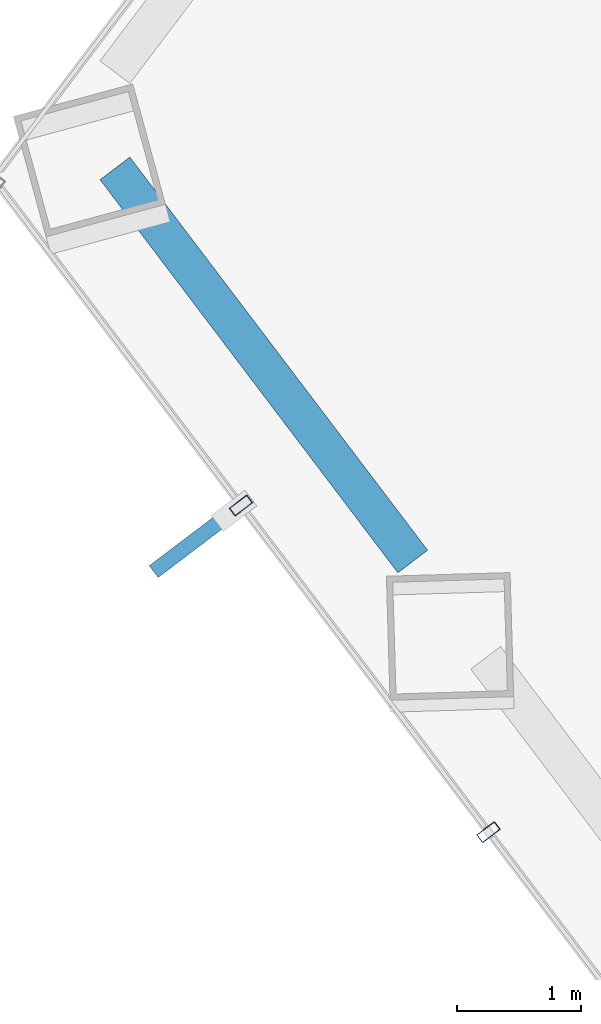
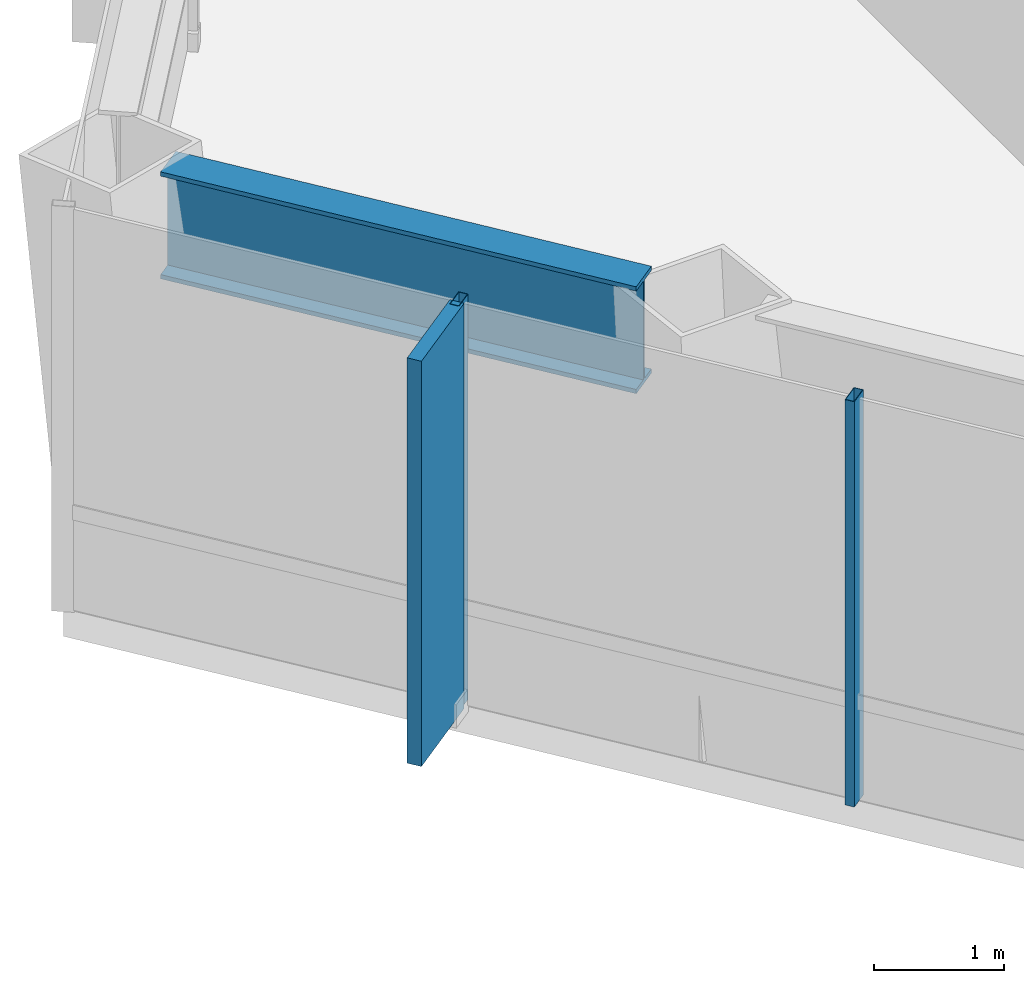
# One storey, part 4 of 26: 3 members, 1 beam, 1 element without a shape of its own.
"""IFC4 building model written with IfcOpenShell, lengths in metres."""

from ifc_helpers import new_model, si_unit, direction, frame, origin, origin_2d, place, context, subcontext, project, spatial, rectangle, hollow_rectangle, i_section, extrude, material, layer, layer_set, material_profile, profile_set, type_object, element, aggregate, save


model = new_model("IFC4")

# Units and contexts
model_context = context("Model", 3, precision=1e-05, world=origin(), true_north=direction((0.0, 1.0)))
body_context = subcontext(model_context, "Body", "Model", "MODEL_VIEW")
ifc_project = project(units=[si_unit("LENGTHUNIT", "METRE"), si_unit("AREAUNIT", "SQUARE_METRE"), si_unit("VOLUMEUNIT", "CUBIC_METRE"), si_unit("PLANEANGLEUNIT", "RADIAN"), si_unit("MASSUNIT", "GRAM", prefix="KILO")], contexts=[model_context])

# Site, building, storey
site_placement = place(None, origin())
site = spatial("IfcSite", under=ifc_project, at=site_placement, CompositionType="ELEMENT")
building_placement = place(site_placement, origin())
building = spatial("IfcBuilding", under=site, at=building_placement, Name="Zarrinselat Tower", CompositionType="ELEMENT")
storey_placement = place(building_placement, frame((0.0, 0.0, 60.179931640625)))
storey = spatial("IfcBuildingStorey", under=building, at=storey_placement, Name="L14", CompositionType="ELEMENT", Elevation=60.179931640625)

# Beam
ifc_material_1 = material(Name="Steel S460M", Category="steel")
ifc_material_profile_1 = material_profile(ifc_material_1, i_section(OverallWidth=0.302001953125, OverallDepth=1.008056640625, WebThickness=0.02099609375, FlangeThickness=0.0400390625, at=origin_2d()), Name="HEM 1000")
ifc_profile_set_1 = profile_set([ifc_material_profile_1], Name="Steel S460M")
beam_type = type_object("IfcBeamType", Name="BM-HEM1000", PredefinedType="BEAM", material=ifc_profile_set_1)
beam_placement = place(storey_placement, frame((16.65869140625, 34.785888671875, 3.316162109375), z_axis=(0.603864764973, -0.797086786758, 0.0), x_axis=(0.797086786758, 0.603864764973, 0.0)))
element("IfcBeam", 1, at=beam_placement, inside=storey, type_object=beam_type, Name="L14 Perimeter Spandrel Girder SP06", PredefinedType="BEAM", context=body_context, shape_type="SweptSolid", body=[
    extrude(i_section(OverallWidth=0.302001953125, OverallDepth=1.008056640625, WebThickness=0.02099609375, FlangeThickness=0.0400390625, at=origin_2d()), origin(), (0.0, 0.0, 1.0), 3.985107421875),
])

# Curtain wall, members
ifc_material_2 = material(Name="Extruded Aluminium Alloy EN AW-6063 T6", Category="aluminium")
ifc_layer = layer(ifc_material_2, 0.18505859375)
ifc_layer_set = layer_set([ifc_layer], Name="Extruded Aluminium Alloy EN AW-6063 T6")
curtain_wall_type = type_object("IfcCurtainWallType", Name="CWS-OFF", PredefinedType="NOTDEFINED", material=ifc_layer_set)
curtain_wall_placement = place(storey_placement, origin())
curtain_wall = element("IfcCurtainWall", 2, at=curtain_wall_placement, inside=storey, type_object=curtain_wall_type, Name="L14 Unitised Curtain Wall CW-L14-E03", PredefinedType="NOTDEFINED")
ifc_material_3 = material(Name="Extruded Aluminium Alloy EN AW-6063 T6", Category="aluminium")
ifc_material_profile_2 = material_profile(ifc_material_3, hollow_rectangle(XDim=0.080078125, YDim=0.179931640625, WallThickness=0.0048828125, at=origin_2d()), Name="RHS 180x80x5")
ifc_profile_set_2 = profile_set([ifc_material_profile_2], Name="Extruded Aluminium Alloy EN AW-6063 T6")
member_type_1 = type_object("IfcMemberType", Name="MEM-CW-MUL", PredefinedType="MULLION", material=ifc_profile_set_2)
member_1_placement = place(storey_placement, frame((17.677001953125, 32.06201171875, 0.0), z_axis=(0.0, 0.0, 1.0), x_axis=(0.603861563254, -0.797089212337, 0.0)))
member_1 = element("IfcMember", 3, at=member_1_placement, type_object=member_type_1, Name="CW-L14-E03 Mullion 1", PredefinedType="MULLION", context=body_context, shape_type="SweptSolid", body=[
    extrude(hollow_rectangle(XDim=0.080078125, YDim=0.179931640625, WallThickness=0.0048828125, at=origin_2d()), origin(), (0.0, 0.0, 1.0), 3.820068359375),
])
member_2_placement = place(storey_placement, frame((19.677001953125, 29.422119140625, 0.0), z_axis=(0.0, 0.0, 1.0), x_axis=(0.603861563254, -0.797089212337, 0.0)))
member_2 = element("IfcMember", 4, at=member_2_placement, type_object=member_type_1, Name="CW-L14-E03 Mullion 2", PredefinedType="MULLION", context=body_context, shape_type="SweptSolid", body=[
    extrude(hollow_rectangle(XDim=0.080078125, YDim=0.179931640625, WallThickness=0.0048828125, at=origin_2d()), origin(), (0.0, 0.0, 1.0), 3.820068359375),
])
ifc_material_4 = material(Name="Honed Cream Travertine Stone", Category="masonry")
ifc_material_profile_3 = material_profile(ifc_material_4, rectangle(XDim=0.1201171875, YDim=0.85009765625, at=origin_2d()), Name="FIN 850x120")
ifc_profile_set_3 = profile_set([ifc_material_profile_3], Name="Honed Cream Travertine Stone")
member_type_2 = type_object("IfcMemberType", Name="MEM-STONE-FIN", PredefinedType="USERDEFINED", material=ifc_profile_set_3)
member_3_placement = place(storey_placement, frame((17.310302734375, 31.7841796875, 0.0), z_axis=(0.0, 0.0, 1.0), x_axis=(-0.603861563254, 0.797089212337, 0.0)))
member_3 = element("IfcMember", 5, at=member_3_placement, type_object=member_type_2, Name="L14 Stone Shading Fin CW-L14-E03-01", ObjectType="FIN", PredefinedType="USERDEFINED", context=body_context, shape_type="SweptSolid", body=[
    extrude(rectangle(XDim=0.1201171875, YDim=0.85009765625, at=origin_2d()), origin(), (0.0, 0.0, 1.0), 3.820068359375),
])
aggregate(curtain_wall, [member_1, member_3, member_2])

save(model, "model.ifc")
